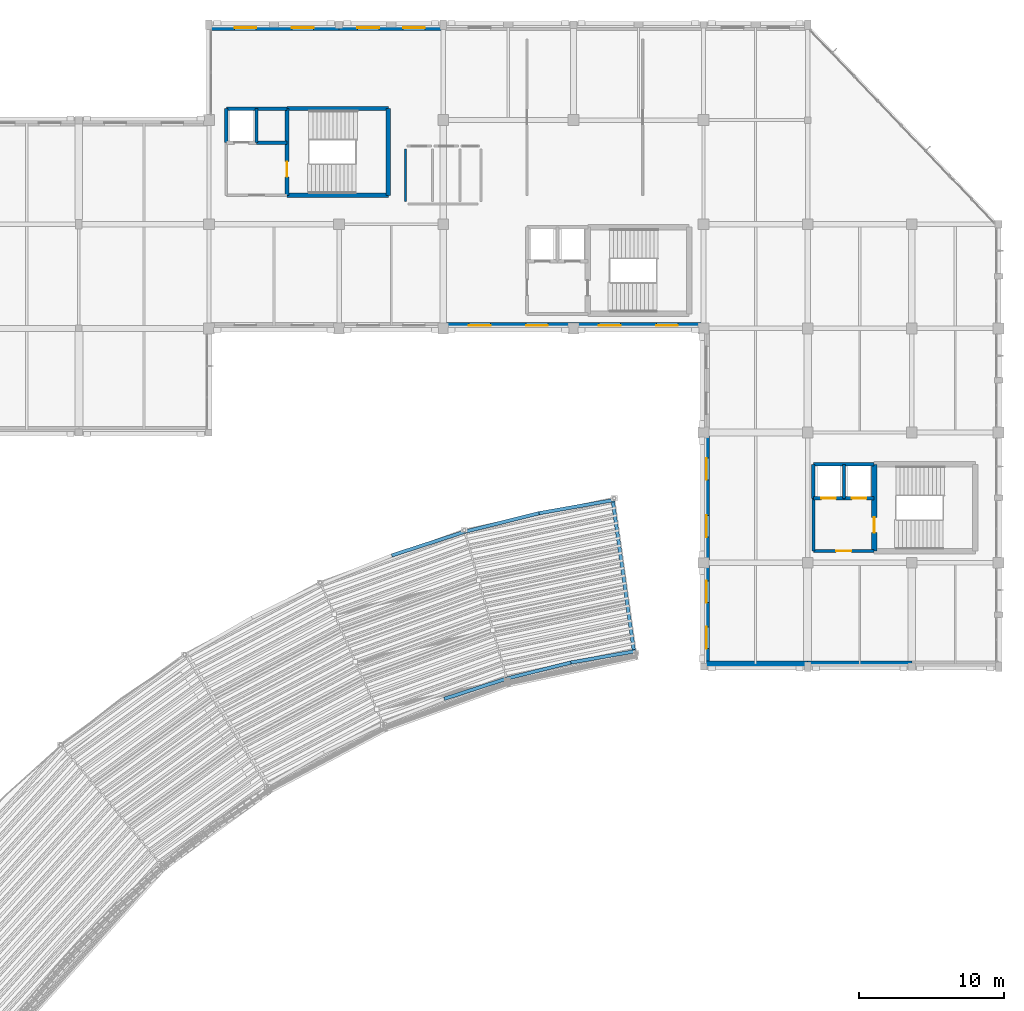
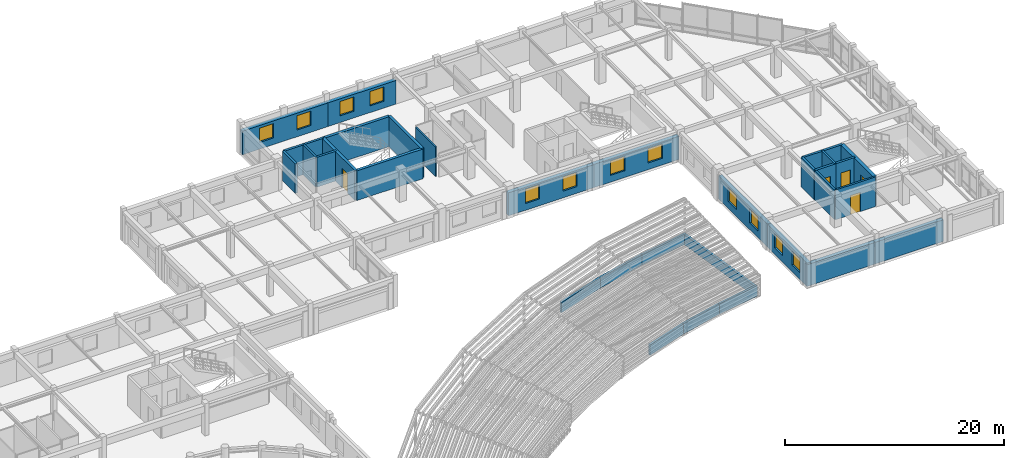
# One storey, part 54 of 74: 32 walls, 12 windows, 5 doors, 17 openings.
"""IFC4 building model written with IfcOpenShell, lengths in metres."""

from ifc_helpers import new_model, si_unit, direction, frame, frame_2d, origin, place, context, subcontext, project, spatial, rectangle, extrude, material, layer, layer_set, type_object, element, fill, save


model = new_model("IFC4")

# Units and contexts
model_context = context("Model", 3, precision=1e-05, world=origin(), true_north=direction((0.0, 1.0)))
body_context = subcontext(model_context, "Body", "Model", "MODEL_VIEW")
ifc_project = project(units=[si_unit("LENGTHUNIT", "METRE"), si_unit("AREAUNIT", "SQUARE_METRE"), si_unit("VOLUMEUNIT", "CUBIC_METRE"), si_unit("PLANEANGLEUNIT", "RADIAN"), si_unit("MASSUNIT", "GRAM", prefix="KILO")], contexts=[model_context])

# Site, building, storey
site_placement = place(None, origin())
site = spatial("IfcSite", under=ifc_project, at=site_placement, CompositionType="ELEMENT")
building_placement = place(site_placement, origin())
building = spatial("IfcBuilding", under=site, at=building_placement, Name="Clarverna Civic Hall", CompositionType="ELEMENT")
storey_placement = place(building_placement, frame((0.0, 0.0, 13.199951171875)))
storey = spatial("IfcBuildingStorey", under=building, at=storey_placement, Name="L03", CompositionType="ELEMENT", Elevation=13.199951171875)

# Wall, openings, windows
ifc_material_1 = material(Name="Montjuic Limestone Ashlar Cladding", Category="masonry")
ifc_layer_1 = layer(ifc_material_1, 0.39990234375)
ifc_layer_set_1 = layer_set([ifc_layer_1], Name="Montjuic Limestone Ashlar Cladding")
wall_type_1 = type_object("IfcWallType", Name="EW-02", PredefinedType="SOLIDWALL", material=ifc_layer_set_1)
wall_1_placement = place(storey_placement, frame((113.39990234375, 115.800048828125, 0.0), z_axis=(0.0, 0.0, 1.0), x_axis=(1.0, 0.0, 0.0)))
wall_1 = element("IfcWall", 1, at=wall_1_placement, inside=storey, type_object=wall_type_1, Name="EW-02-143", PredefinedType="SOLIDWALL", context=body_context, shape_type="SweptSolid", body=[
    extrude(rectangle(XDim=9.0, YDim=0.39990234375, at=frame_2d((4.5, 0.0))), origin(), (0.0, 0.0, 1.0), 2.64013671875),
])
opening_1_placement = place(wall_1_placement, frame((1.77001953125, 0.0, 0.75)))
opening_1 = element("IfcOpeningElement", 2, at=opening_1_placement, cuts=wall_1, Name="Opening WN-14", PredefinedType="OPENING", context=body_context, shape_type="SweptSolid", body=[
    extrude(rectangle(XDim=1.5, YDim=1.60009765625, at=frame_2d((0.75, 0.800048828125))), frame((0.0, 0.2099609375, 0.0), z_axis=(0.0, -1.0, 0.0), x_axis=(1.0, 0.0, 0.0)), (0.0, 0.0, 1.0), 0.419921875),
])
opening_2_placement = place(wall_1_placement, frame((5.72998046875, 0.0, 0.75)))
opening_2 = element("IfcOpeningElement", 3, at=opening_2_placement, cuts=wall_1, Name="Opening WN-14", PredefinedType="OPENING", context=body_context, shape_type="SweptSolid", body=[
    extrude(rectangle(XDim=1.5, YDim=1.60009765625, at=frame_2d((0.75, 0.800048828125))), frame((0.0, 0.2099609375, 0.0), z_axis=(0.0, -1.0, 0.0), x_axis=(1.0, 0.0, 0.0)), (0.0, 0.0, 1.0), 0.419921875),
])
ifc_material_2 = material(Name="Solar-Control Argon Low-E Double Glazing", Category="glass")
window_type = type_object("IfcWindowType", Name="WN-14", PartitioningType="DOUBLE_PANEL_HORIZONTAL", PredefinedType="WINDOW", material=ifc_material_2)
window_1_placement = place(opening_1_placement, origin())
window_1 = element("IfcWindow", 4, at=window_1_placement, inside=storey, type_object=window_type, Name="WN-14-117", OverallHeight=1.60009765625, OverallWidth=1.5, PartitioningType="DOUBLE_PANEL_HORIZONTAL", PredefinedType="WINDOW", context=body_context, shape_type="SweptSolid", body=[
    extrude(rectangle(XDim=1.5, YDim=1.60009765625, at=frame_2d((0.75, 0.800048828125))), frame((0.0, 0.030029296875, 0.0), z_axis=(0.0, -1.0, 0.0), x_axis=(1.0, 0.0, 0.0)), (0.0, 0.0, 1.0), 0.06005859375),
])
fill(opening_1, window_1)
window_2_placement = place(opening_2_placement, origin())
window_2 = element("IfcWindow", 5, at=window_2_placement, inside=storey, type_object=window_type, Name="WN-14-118", OverallHeight=1.60009765625, OverallWidth=1.5, PartitioningType="DOUBLE_PANEL_HORIZONTAL", PredefinedType="WINDOW", context=body_context, shape_type="SweptSolid", body=[
    extrude(rectangle(XDim=1.5, YDim=1.60009765625, at=frame_2d((0.75, 0.800048828125))), frame((0.0, 0.030029296875, 0.0), z_axis=(0.0, -1.0, 0.0), x_axis=(1.0, 0.0, 0.0)), (0.0, 0.0, 1.0), 0.06005859375),
])
fill(opening_2, window_2)

wall_2_placement = place(storey_placement, frame((122.39990234375, 115.800048828125, 0.0), z_axis=(0.0, 0.0, 1.0), x_axis=(1.0, 0.0, 0.0)))
wall_2 = element("IfcWall", 6, at=wall_2_placement, inside=storey, type_object=wall_type_1, Name="EW-02-144", PredefinedType="SOLIDWALL", context=body_context, shape_type="SweptSolid", body=[
    extrude(rectangle(XDim=7.2001953125, YDim=0.39990234375, at=frame_2d((3.60009765625, 0.0))), origin(), (0.0, 0.0, 1.0), 2.64013671875),
])
opening_3_placement = place(wall_2_placement, frame((1.26611328125, 0.0, 0.75)))
opening_3 = element("IfcOpeningElement", 7, at=opening_3_placement, cuts=wall_2, Name="Opening WN-14", PredefinedType="OPENING", context=body_context, shape_type="SweptSolid", body=[
    extrude(rectangle(XDim=1.5, YDim=1.60009765625, at=frame_2d((0.75, 0.800048828125))), frame((0.0, 0.2099609375, 0.0), z_axis=(0.0, -1.0, 0.0), x_axis=(1.0, 0.0, 0.0)), (0.0, 0.0, 1.0), 0.419921875),
])
opening_4_placement = place(wall_2_placement, frame((4.43408203125, 0.0, 0.75)))
opening_4 = element("IfcOpeningElement", 8, at=opening_4_placement, cuts=wall_2, Name="Opening WN-14", PredefinedType="OPENING", context=body_context, shape_type="SweptSolid", body=[
    extrude(rectangle(XDim=1.5, YDim=1.60009765625, at=frame_2d((0.75, 0.800048828125))), frame((0.0, 0.2099609375, 0.0), z_axis=(0.0, -1.0, 0.0), x_axis=(1.0, 0.0, 0.0)), (0.0, 0.0, 1.0), 0.419921875),
])
window_3_placement = place(opening_3_placement, origin())
window_3 = element("IfcWindow", 9, at=window_3_placement, inside=storey, type_object=window_type, Name="WN-14-119", OverallHeight=1.60009765625, OverallWidth=1.5, PartitioningType="DOUBLE_PANEL_HORIZONTAL", PredefinedType="WINDOW", context=body_context, shape_type="SweptSolid", body=[
    extrude(rectangle(XDim=1.5, YDim=1.60009765625, at=frame_2d((0.75, 0.800048828125))), frame((0.0, 0.030029296875, 0.0), z_axis=(0.0, -1.0, 0.0), x_axis=(1.0, 0.0, 0.0)), (0.0, 0.0, 1.0), 0.06005859375),
])
fill(opening_3, window_3)
window_4_placement = place(opening_4_placement, origin())
window_4 = element("IfcWindow", 10, at=window_4_placement, inside=storey, type_object=window_type, Name="WN-14-120", OverallHeight=1.60009765625, OverallWidth=1.5, PartitioningType="DOUBLE_PANEL_HORIZONTAL", PredefinedType="WINDOW", context=body_context, shape_type="SweptSolid", body=[
    extrude(rectangle(XDim=1.5, YDim=1.60009765625, at=frame_2d((0.75, 0.800048828125))), frame((0.0, 0.030029296875, 0.0), z_axis=(0.0, -1.0, 0.0), x_axis=(1.0, 0.0, 0.0)), (0.0, 0.0, 1.0), 0.06005859375),
])
fill(opening_4, window_4)

# Walls
for number, where, z_axis, x_axis, name in (
    (11, (162.0, 71.800048828125, 0.0), (0.0, 0.0, 1.0), (-1.0, 0.0, 0.0), "EW-02-149"),
    (12, (154.800048828125, 71.800048828125, 0.0), (0.0, 0.0, 1.0), (-1.0, 0.0, 0.0), "EW-02-150"),
):
    element("IfcWall", number, at=place(storey_placement, frame(where, z_axis=z_axis, x_axis=x_axis)), inside=storey, type_object=wall_type_1, Name=name, PredefinedType="SOLIDWALL", context=body_context, shape_type="SweptSolid", body=[
        extrude(rectangle(XDim=7.199951171875, YDim=0.39990234375, at=frame_2d((3.60009765625, 0.0))), origin(), (0.0, 0.0, 1.0), 2.420166015625),
    ])

# Wall, openings, windows
wall_3_placement = place(storey_placement, frame((147.800048828125, 71.60009765625, 0.0), z_axis=(0.0, 0.0, 1.0), x_axis=(0.0, 1.0, 0.0)))
wall_3 = element("IfcWall", 13, at=wall_3_placement, inside=storey, type_object=wall_type_1, Name="EW-02-151", PredefinedType="SOLIDWALL", context=body_context, shape_type="SweptSolid", body=[
    extrude(rectangle(XDim=7.199951171875, YDim=0.39990234375, at=frame_2d((3.60009765625, 0.0))), origin(), (0.0, 0.0, 1.0), 2.60009765625),
])
opening_5_placement = place(wall_3_placement, frame((1.26611328125, 0.0, 0.75)))
opening_5 = element("IfcOpeningElement", 14, at=opening_5_placement, cuts=wall_3, Name="Opening WN-14", PredefinedType="OPENING", context=body_context, shape_type="SweptSolid", body=[
    extrude(rectangle(XDim=1.5, YDim=1.60009765625, at=frame_2d((0.75, 0.800048828125))), frame((0.0, 0.2099609375, 0.0), z_axis=(0.0, -1.0, 0.0), x_axis=(1.0, 0.0, 0.0)), (0.0, 0.0, 1.0), 0.419921875),
])
opening_6_placement = place(wall_3_placement, frame((4.43408203125, 0.0, 0.75)))
opening_6 = element("IfcOpeningElement", 15, at=opening_6_placement, cuts=wall_3, Name="Opening WN-14", PredefinedType="OPENING", context=body_context, shape_type="SweptSolid", body=[
    extrude(rectangle(XDim=1.5, YDim=1.60009765625, at=frame_2d((0.75, 0.800048828125))), frame((0.0, 0.2099609375, 0.0), z_axis=(0.0, -1.0, 0.0), x_axis=(1.0, 0.0, 0.0)), (0.0, 0.0, 1.0), 0.419921875),
])
window_5_placement = place(opening_5_placement, origin())
window_5 = element("IfcWindow", 16, at=window_5_placement, inside=storey, type_object=window_type, Name="WN-14-124", OverallHeight=1.60009765625, OverallWidth=1.5, PartitioningType="DOUBLE_PANEL_HORIZONTAL", PredefinedType="WINDOW", context=body_context, shape_type="SweptSolid", body=[
    extrude(rectangle(XDim=1.5, YDim=1.60009765625, at=frame_2d((0.75, 0.800048828125))), frame((0.0, 0.030029296875, 0.0), z_axis=(0.0, -1.0, 0.0), x_axis=(1.0, 0.0, 0.0)), (0.0, 0.0, 1.0), 0.06005859375),
])
fill(opening_5, window_5)
window_6_placement = place(opening_6_placement, origin())
window_6 = element("IfcWindow", 17, at=window_6_placement, inside=storey, type_object=window_type, Name="WN-14-125", OverallHeight=1.60009765625, OverallWidth=1.5, PartitioningType="DOUBLE_PANEL_HORIZONTAL", PredefinedType="WINDOW", context=body_context, shape_type="SweptSolid", body=[
    extrude(rectangle(XDim=1.5, YDim=1.60009765625, at=frame_2d((0.75, 0.800048828125))), frame((0.0, 0.030029296875, 0.0), z_axis=(0.0, -1.0, 0.0), x_axis=(1.0, 0.0, 0.0)), (0.0, 0.0, 1.0), 0.06005859375),
])
fill(opening_6, window_6)

wall_4_placement = place(storey_placement, frame((147.800048828125, 78.800048828125, 0.0), z_axis=(0.0, 0.0, 1.0), x_axis=(0.0, 1.0, 0.0)))
wall_4 = element("IfcWall", 18, at=wall_4_placement, inside=storey, type_object=wall_type_1, Name="EW-02-152", PredefinedType="SOLIDWALL", context=body_context, shape_type="SweptSolid", body=[
    extrude(rectangle(XDim=9.0, YDim=0.39990234375, at=frame_2d((4.5, 0.0))), origin(), (0.0, 0.0, 1.0), 2.570068359375),
])
opening_7_placement = place(wall_4_placement, frame((1.77001953125, 0.0, 0.75)))
opening_7 = element("IfcOpeningElement", 19, at=opening_7_placement, cuts=wall_4, Name="Opening WN-14", PredefinedType="OPENING", context=body_context, shape_type="SweptSolid", body=[
    extrude(rectangle(XDim=1.5, YDim=1.60009765625, at=frame_2d((0.75, 0.800048828125))), frame((0.0, 0.2099609375, 0.0), z_axis=(0.0, -1.0, 0.0), x_axis=(1.0, 0.0, 0.0)), (0.0, 0.0, 1.0), 0.419921875),
])
opening_8_placement = place(wall_4_placement, frame((5.72998046875, 0.0, 0.75)))
opening_8 = element("IfcOpeningElement", 20, at=opening_8_placement, cuts=wall_4, Name="Opening WN-14", PredefinedType="OPENING", context=body_context, shape_type="SweptSolid", body=[
    extrude(rectangle(XDim=1.5, YDim=1.60009765625, at=frame_2d((0.75, 0.800048828125))), frame((0.0, 0.2099609375, 0.0), z_axis=(0.0, -1.0, 0.0), x_axis=(1.0, 0.0, 0.0)), (0.0, 0.0, 1.0), 0.419921875),
])
window_7_placement = place(opening_7_placement, origin())
window_7 = element("IfcWindow", 21, at=window_7_placement, inside=storey, type_object=window_type, Name="WN-14-126", OverallHeight=1.60009765625, OverallWidth=1.5, PartitioningType="DOUBLE_PANEL_HORIZONTAL", PredefinedType="WINDOW", context=body_context, shape_type="SweptSolid", body=[
    extrude(rectangle(XDim=1.5, YDim=1.60009765625, at=frame_2d((0.75, 0.800048828125))), frame((0.0, 0.030029296875, 0.0), z_axis=(0.0, -1.0, 0.0), x_axis=(1.0, 0.0, 0.0)), (0.0, 0.0, 1.0), 0.06005859375),
])
fill(opening_7, window_7)
window_8_placement = place(opening_8_placement, origin())
window_8 = element("IfcWindow", 22, at=window_8_placement, inside=storey, type_object=window_type, Name="WN-14-127", OverallHeight=1.60009765625, OverallWidth=1.5, PartitioningType="DOUBLE_PANEL_HORIZONTAL", PredefinedType="WINDOW", context=body_context, shape_type="SweptSolid", body=[
    extrude(rectangle(XDim=1.5, YDim=1.60009765625, at=frame_2d((0.75, 0.800048828125))), frame((0.0, 0.030029296875, 0.0), z_axis=(0.0, -1.0, 0.0), x_axis=(1.0, 0.0, 0.0)), (0.0, 0.0, 1.0), 0.06005859375),
])
fill(opening_8, window_8)

wall_5_placement = place(storey_placement, frame((147.60009765625, 95.199951171875, 0.0), z_axis=(0.0, 0.0, 1.0), x_axis=(-1.0, 0.0, 0.0)))
wall_5 = element("IfcWall", 23, at=wall_5_placement, inside=storey, type_object=wall_type_1, Name="EW-02-154", PredefinedType="SOLIDWALL", context=body_context, shape_type="SweptSolid", body=[
    extrude(rectangle(XDim=9.0, YDim=0.39990234375, at=frame_2d((4.5, 0.0))), origin(), (0.0, 0.0, 1.0), 2.60009765625),
])
opening_9_placement = place(wall_5_placement, frame((1.77001953125, 0.0, 0.75)))
opening_9 = element("IfcOpeningElement", 24, at=opening_9_placement, cuts=wall_5, Name="Opening WN-14", PredefinedType="OPENING", context=body_context, shape_type="SweptSolid", body=[
    extrude(rectangle(XDim=1.5, YDim=1.60009765625, at=frame_2d((0.75, 0.800048828125))), frame((0.0, 0.2099609375, 0.0), z_axis=(0.0, -1.0, 0.0), x_axis=(1.0, 0.0, 0.0)), (0.0, 0.0, 1.0), 0.419921875),
])
opening_10_placement = place(wall_5_placement, frame((5.72998046875, 0.0, 0.75)))
opening_10 = element("IfcOpeningElement", 25, at=opening_10_placement, cuts=wall_5, Name="Opening WN-14", PredefinedType="OPENING", context=body_context, shape_type="SweptSolid", body=[
    extrude(rectangle(XDim=1.5, YDim=1.60009765625, at=frame_2d((0.75, 0.800048828125))), frame((0.0, 0.2099609375, 0.0), z_axis=(0.0, -1.0, 0.0), x_axis=(1.0, 0.0, 0.0)), (0.0, 0.0, 1.0), 0.419921875),
])
window_9_placement = place(opening_9_placement, origin())
window_9 = element("IfcWindow", 26, at=window_9_placement, inside=storey, type_object=window_type, Name="WN-14-130", OverallHeight=1.60009765625, OverallWidth=1.5, PartitioningType="DOUBLE_PANEL_HORIZONTAL", PredefinedType="WINDOW", context=body_context, shape_type="SweptSolid", body=[
    extrude(rectangle(XDim=1.5, YDim=1.60009765625, at=frame_2d((0.75, 0.800048828125))), frame((0.0, 0.030029296875, 0.0), z_axis=(0.0, -1.0, 0.0), x_axis=(1.0, 0.0, 0.0)), (0.0, 0.0, 1.0), 0.06005859375),
])
fill(opening_9, window_9)
window_10_placement = place(opening_10_placement, origin())
window_10 = element("IfcWindow", 27, at=window_10_placement, inside=storey, type_object=window_type, Name="WN-14-131", OverallHeight=1.60009765625, OverallWidth=1.5, PartitioningType="DOUBLE_PANEL_HORIZONTAL", PredefinedType="WINDOW", context=body_context, shape_type="SweptSolid", body=[
    extrude(rectangle(XDim=1.5, YDim=1.60009765625, at=frame_2d((0.75, 0.800048828125))), frame((0.0, 0.030029296875, 0.0), z_axis=(0.0, -1.0, 0.0), x_axis=(1.0, 0.0, 0.0)), (0.0, 0.0, 1.0), 0.06005859375),
])
fill(opening_10, window_10)

wall_6_placement = place(storey_placement, frame((138.60009765625, 95.199951171875, 0.0), z_axis=(0.0, 0.0, 1.0), x_axis=(-1.0, 0.0, 0.0)))
wall_6 = element("IfcWall", 28, at=wall_6_placement, inside=storey, type_object=wall_type_1, Name="EW-02-155", PredefinedType="SOLIDWALL", context=body_context, shape_type="SweptSolid", body=[
    extrude(rectangle(XDim=9.0, YDim=0.39990234375, at=frame_2d((4.5, 0.0))), origin(), (0.0, 0.0, 1.0), 2.570068359375),
])
opening_11_placement = place(wall_6_placement, frame((1.77001953125, 0.0, 0.75)))
opening_11 = element("IfcOpeningElement", 29, at=opening_11_placement, cuts=wall_6, Name="Opening WN-14", PredefinedType="OPENING", context=body_context, shape_type="SweptSolid", body=[
    extrude(rectangle(XDim=1.5, YDim=1.60009765625, at=frame_2d((0.75, 0.800048828125))), frame((0.0, 0.2099609375, 0.0), z_axis=(0.0, -1.0, 0.0), x_axis=(1.0, 0.0, 0.0)), (0.0, 0.0, 1.0), 0.419921875),
])
opening_12_placement = place(wall_6_placement, frame((5.72998046875, 0.0, 0.75)))
opening_12 = element("IfcOpeningElement", 30, at=opening_12_placement, cuts=wall_6, Name="Opening WN-14", PredefinedType="OPENING", context=body_context, shape_type="SweptSolid", body=[
    extrude(rectangle(XDim=1.5, YDim=1.60009765625, at=frame_2d((0.75, 0.800048828125))), frame((0.0, 0.2099609375, 0.0), z_axis=(0.0, -1.0, 0.0), x_axis=(1.0, 0.0, 0.0)), (0.0, 0.0, 1.0), 0.419921875),
])
window_11_placement = place(opening_11_placement, origin())
window_11 = element("IfcWindow", 31, at=window_11_placement, inside=storey, type_object=window_type, Name="WN-14-132", OverallHeight=1.60009765625, OverallWidth=1.5, PartitioningType="DOUBLE_PANEL_HORIZONTAL", PredefinedType="WINDOW", context=body_context, shape_type="SweptSolid", body=[
    extrude(rectangle(XDim=1.5, YDim=1.60009765625, at=frame_2d((0.75, 0.800048828125))), frame((0.0, 0.030029296875, 0.0), z_axis=(0.0, -1.0, 0.0), x_axis=(1.0, 0.0, 0.0)), (0.0, 0.0, 1.0), 0.06005859375),
])
fill(opening_11, window_11)
window_12_placement = place(opening_12_placement, origin())
window_12 = element("IfcWindow", 32, at=window_12_placement, inside=storey, type_object=window_type, Name="WN-14-133", OverallHeight=1.60009765625, OverallWidth=1.5, PartitioningType="DOUBLE_PANEL_HORIZONTAL", PredefinedType="WINDOW", context=body_context, shape_type="SweptSolid", body=[
    extrude(rectangle(XDim=1.5, YDim=1.60009765625, at=frame_2d((0.75, 0.800048828125))), frame((0.0, 0.030029296875, 0.0), z_axis=(0.0, -1.0, 0.0), x_axis=(1.0, 0.0, 0.0)), (0.0, 0.0, 1.0), 0.06005859375),
])
fill(opening_12, window_12)

# Walls
ifc_material_3 = material(Name="Precast concrete C40/50", Category="concrete")
ifc_layer_2 = layer(ifc_material_3, 0.239990234375)
ifc_layer_set_2 = layer_set([ifc_layer_2], Name="Precast concrete C40/50")
wall_type_2 = type_object("IfcWallType", Name="PR-01", PredefinedType="PARAPET", material=ifc_layer_set_2)
wall_7_placement = place(storey_placement, frame((126.043701171875, 79.302490234375, 0.0), z_axis=(0.0, 0.0, 1.0), x_axis=(0.951044891259, 0.309052770267, 0.0)))
element("IfcWall", 33, at=wall_7_placement, inside=storey, type_object=wall_type_2, Name="PR-01-032", PredefinedType="PARAPET", context=body_context, shape_type="SweptSolid", body=[
    extrude(rectangle(XDim=5.3046875, YDim=0.239990234375, at=frame_2d((2.65234375, 0.0))), origin(), (0.0, 0.0, 1.0), 1.150146484375),
])
wall_8_placement = place(storey_placement, frame((131.08056640625, 80.939453125, 0.0), z_axis=(0.0, 0.0, 1.0), x_axis=(0.970291213473, 0.241939994746, 0.0)))
element("IfcWall", 34, at=wall_8_placement, inside=storey, type_object=wall_type_2, Name="PR-01-033", PredefinedType="PARAPET", context=body_context, shape_type="SweptSolid", body=[
    extrude(rectangle(XDim=5.304931640625, YDim=0.239990234375, at=frame_2d((2.65234375, 0.0))), origin(), (0.0, 0.0, 1.0), 1.150146484375),
])
wall_9_placement = place(storey_placement, frame((136.219482421875, 82.220947265625, 0.0), z_axis=(0.0, 0.0, 1.0), x_axis=(0.984808105081, 0.173646180973, 0.0)))
element("IfcWall", 35, at=wall_9_placement, inside=storey, type_object=wall_type_2, Name="PR-01-034", PredefinedType="PARAPET", context=body_context, shape_type="SweptSolid", body=[
    extrude(rectangle(XDim=5.3046875, YDim=0.239990234375, at=frame_2d((2.65234375, 0.0))), origin(), (0.0, 0.0, 1.0), 1.150146484375),
])
wall_10_placement = place(storey_placement, frame((141.303955078125, 83.24365234375, 0.0), z_axis=(0.0, 0.0, 1.0), x_axis=(0.139183479842, -0.990266610029, 0.0)))
element("IfcWall", 36, at=wall_10_placement, inside=storey, type_object=wall_type_2, Name="PR-01-035", PredefinedType="PARAPET", context=body_context, shape_type="SweptSolid", body=[
    extrude(rectangle(XDim=10.800048828125, YDim=0.239990234375, at=frame_2d((5.39990234375, 0.0))), origin(), (0.0, 0.0, 1.0), 1.150146484375),
])
wall_11_placement = place(storey_placement, frame((142.905029296875, 72.68359375, 0.0), z_axis=(0.0, 0.0, 1.0), x_axis=(-0.984806233579, -0.173656794579, 0.0)))
element("IfcWall", 37, at=wall_11_placement, inside=storey, type_object=wall_type_2, Name="PR-01-036", PredefinedType="PARAPET", context=body_context, shape_type="SweptSolid", body=[
    extrude(rectangle(XDim=4.55078125, YDim=0.239990234375, at=frame_2d((2.275390625, 0.0))), origin(), (0.0, 0.0, 1.0), 1.150146484375),
])
wall_12_placement = place(storey_placement, frame((138.415283203125, 71.8916015625, 0.0), z_axis=(0.0, 0.0, 1.0), x_axis=(-0.970303225887, -0.241891814316, 0.0)))
element("IfcWall", 38, at=wall_12_placement, inside=storey, type_object=wall_type_2, Name="PR-01-037", PredefinedType="PARAPET", context=body_context, shape_type="SweptSolid", body=[
    extrude(rectangle(XDim=4.551025390625, YDim=0.239990234375, at=frame_2d((2.275390625, 0.0))), origin(), (0.0, 0.0, 1.0), 1.150146484375),
])
wall_13_placement = place(storey_placement, frame((133.9912109375, 70.788330078125, 0.0), z_axis=(0.0, 0.0, 1.0), x_axis=(-0.951059297078, -0.309008435874, 0.0)))
element("IfcWall", 39, at=wall_13_placement, inside=storey, type_object=wall_type_2, Name="PR-01-038", PredefinedType="PARAPET", context=body_context, shape_type="SweptSolid", body=[
    extrude(rectangle(XDim=4.55078125, YDim=0.239990234375, at=frame_2d((2.275390625, 0.0))), origin(), (0.0, 0.0, 1.0), 1.150146484375),
])
ifc_material_4 = material(Name="Ceramic Brick and Plaster Wet-Room Partition", Category="masonry")
ifc_layer_3 = layer(ifc_material_4, 0.139892578125)
ifc_layer_set_3 = layer_set([ifc_layer_3], Name="Ceramic Brick and Plaster Wet-Room Partition")
wall_type_3 = type_object("IfcWallType", Name="PW-02", PredefinedType="PARTITIONING", material=ifc_layer_set_3)
wall_14_placement = place(storey_placement, frame((127.0, 103.780029296875, 0.0), z_axis=(0.0, 0.0, 1.0), x_axis=(0.0, 1.0, 0.0)))
element("IfcWall", 40, at=wall_14_placement, inside=storey, type_object=wall_type_3, Name="PW-02-034", PredefinedType="PARTITIONING", context=body_context, shape_type="SweptSolid", body=[
    extrude(rectangle(XDim=3.639892578125, YDim=0.139892578125, at=frame_2d((1.81982421875, 0.0))), origin(), (0.0, 0.0, 1.0), 3.320068359375),
])
ifc_material_5 = material(Name="Acoustic Gypsum Plasterboard on Twin Frame", Category="gypsum")
ifc_layer_4 = layer(ifc_material_5, 0.18994140625)
ifc_layer_set_4 = layer_set([ifc_layer_4], Name="Acoustic Gypsum Plasterboard on Twin Frame")
wall_type_4 = type_object("IfcWallType", Name="PW-06", PredefinedType="PARTITIONING", material=ifc_layer_set_4)
wall_15_placement = place(storey_placement, frame((155.199951171875, 79.60009765625, 0.0), z_axis=(0.0, 0.0, 1.0), x_axis=(0.0, 1.0, 0.0)))
element("IfcWall", 41, at=wall_15_placement, inside=storey, type_object=wall_type_4, Name="PW-06-027", PredefinedType="PARTITIONING", context=body_context, shape_type="SweptSolid", body=[
    extrude(rectangle(XDim=3.64990234375, YDim=0.18994140625, at=frame_2d((1.824951171875, 0.0))), origin(), (0.0, 0.0, 1.0), 3.320068359375),
])

# Wall, opening, door
wall_16_placement = place(storey_placement, frame((155.199951171875, 79.60009765625, 0.0), z_axis=(0.0, 0.0, 1.0), x_axis=(1.0, 0.0, 0.0)))
wall_16 = element("IfcWall", 42, at=wall_16_placement, inside=storey, type_object=wall_type_4, Name="PW-06-028", PredefinedType="PARTITIONING", context=body_context, shape_type="SweptSolid", body=[
    extrude(rectangle(XDim=4.199951171875, YDim=0.18994140625, at=frame_2d((2.10009765625, 0.0))), origin(), (0.0, 0.0, 1.0), 3.320068359375),
])
opening_13_placement = place(wall_16_placement, frame((1.574951171875, 0.0, 0.0)))
opening_13 = element("IfcOpeningElement", 43, at=opening_13_placement, cuts=wall_16, Name="Opening FD-02", PredefinedType="OPENING", context=body_context, shape_type="SweptSolid", body=[
    extrude(rectangle(XDim=1.050048828125, YDim=2.14990234375, at=frame_2d((0.52490234375, 1.074951171875))), frame((0.0, 0.10498046875, 0.0), z_axis=(0.0, -1.0, 0.0), x_axis=(1.0, 0.0, 0.0)), (0.0, 0.0, 1.0), 0.2099609375),
])
ifc_material_6 = material(Name="Acoustic Timber-Faced Fire Door", Category="wood")
door_type_1 = type_object("IfcDoorType", Name="FD-02", OperationType="NOTDEFINED", PredefinedType="DOOR", material=ifc_material_6)
door_1_placement = place(opening_13_placement, origin())
door_1 = element("IfcDoor", 44, at=door_1_placement, inside=storey, type_object=door_type_1, Name="FD-02-026", OperationType="SINGLE_SWING_RIGHT", OverallHeight=2.14990234375, OverallWidth=1.050048828125, PredefinedType="DOOR", context=body_context, shape_type="SweptSolid", body=[
    extrude(rectangle(XDim=1.050048828125, YDim=2.14990234375, at=frame_2d((0.52490234375, 1.074951171875))), frame((0.0, 0.02490234375, 0.0), z_axis=(0.0, -1.0, 0.0), x_axis=(1.0, 0.0, 0.0)), (0.0, 0.0, 1.0), 0.050048828125),
])
fill(opening_13, door_1)

ifc_material_7 = material(Name="Concrete C35/45", Category="concrete")
ifc_layer_5 = layer(ifc_material_7, 0.3798828125)
ifc_layer_set_5 = layer_set([ifc_layer_5], Name="Concrete C35/45")
wall_type_5 = type_object("IfcWallType", Name="SW-01", PredefinedType="SHEAR", material=ifc_layer_set_5)
wall_17_placement = place(storey_placement, frame((159.39990234375, 79.60009765625, 0.0), z_axis=(0.0, 0.0, 1.0), x_axis=(0.0, 1.0, 0.0)))
wall_17 = element("IfcWall", 45, at=wall_17_placement, inside=storey, type_object=wall_type_5, Name="SW-01-118", PredefinedType="SHEAR", context=body_context, shape_type="SweptSolid", body=[
    extrude(rectangle(XDim=6.0, YDim=0.3798828125, at=frame_2d((3.0, 0.0))), origin(), (0.0, 0.0, 1.0), 3.320068359375),
])
opening_14_placement = place(wall_17_placement, frame((1.27490234375, 0.0, 0.0)))
opening_14 = element("IfcOpeningElement", 46, at=opening_14_placement, cuts=wall_17, Name="Opening FD-02", PredefinedType="OPENING", context=body_context, shape_type="SweptSolid", body=[
    extrude(rectangle(XDim=1.050048828125, YDim=2.14990234375, at=frame_2d((0.52490234375, 1.074951171875))), frame((0.0, 0.199951171875, 0.0), z_axis=(0.0, -1.0, 0.0), x_axis=(1.0, 0.0, 0.0)), (0.0, 0.0, 1.0), 0.39990234375),
])
door_2_placement = place(opening_14_placement, origin())
door_2 = element("IfcDoor", 47, at=door_2_placement, inside=storey, type_object=door_type_1, Name="FD-02-025", OperationType="SINGLE_SWING_LEFT", OverallHeight=2.14990234375, OverallWidth=1.050048828125, PredefinedType="DOOR", context=body_context, shape_type="SweptSolid", body=[
    extrude(rectangle(XDim=1.050048828125, YDim=2.14990234375, at=frame_2d((0.52490234375, 1.074951171875))), frame((0.0, 0.02490234375, 0.0), z_axis=(0.0, -1.0, 0.0), x_axis=(1.0, 0.0, 0.0)), (0.0, 0.0, 1.0), 0.050048828125),
])
fill(opening_14, door_2)

# Walls
wall_18_placement = place(storey_placement, frame((155.199951171875, 85.60009765625, 0.0), z_axis=(0.0, 0.0, 1.0), x_axis=(1.0, 0.0, 0.0)))
element("IfcWall", 48, at=wall_18_placement, inside=storey, type_object=wall_type_5, Name="SW-01-122", PredefinedType="SHEAR", context=body_context, shape_type="SweptSolid", body=[
    extrude(rectangle(XDim=4.199951171875, YDim=0.239990234375, at=frame_2d((2.10009765625, 0.0))), origin(), (0.0, 0.0, 1.0), 3.320068359375),
])
wall_19_placement = place(storey_placement, frame((155.199951171875, 83.25, 0.0), z_axis=(0.0, 0.0, 1.0), x_axis=(0.0, 1.0, 0.0)))
element("IfcWall", 49, at=wall_19_placement, inside=storey, type_object=wall_type_5, Name="SW-01-123", PredefinedType="SHEAR", context=body_context, shape_type="SweptSolid", body=[
    extrude(rectangle(XDim=2.35009765625, YDim=0.239990234375, at=frame_2d((1.175048828125, 0.0))), origin(), (0.0, 0.0, 1.0), 3.320068359375),
])
wall_20_placement = place(storey_placement, frame((157.300048828125, 83.25, 0.0), z_axis=(0.0, 0.0, 1.0), x_axis=(0.0, 1.0, 0.0)))
element("IfcWall", 50, at=wall_20_placement, inside=storey, type_object=wall_type_5, Name="SW-01-124", PredefinedType="SHEAR", context=body_context, shape_type="SweptSolid", body=[
    extrude(rectangle(XDim=2.35009765625, YDim=0.199951171875, at=frame_2d((1.175048828125, 0.0))), origin(), (0.0, 0.0, 1.0), 3.320068359375),
])

# Wall, opening, door
wall_21_placement = place(storey_placement, frame((155.199951171875, 83.25, 0.0), z_axis=(0.0, 0.0, 1.0), x_axis=(1.0, 0.0, 0.0)))
wall_21 = element("IfcWall", 51, at=wall_21_placement, inside=storey, type_object=wall_type_5, Name="SW-01-125", PredefinedType="SHEAR", context=body_context, shape_type="SweptSolid", body=[
    extrude(rectangle(XDim=2.10009765625, YDim=0.239990234375, at=frame_2d((1.050048828125, 0.0))), origin(), (0.0, 0.0, 1.0), 3.320068359375),
])
opening_15_placement = place(wall_21_placement, frame((0.550048828125, 0.0, 0.0)))
opening_15 = element("IfcOpeningElement", 52, at=opening_15_placement, cuts=wall_21, Name="Opening LD-01", PredefinedType="OPENING", context=body_context, shape_type="SweptSolid", body=[
    extrude(rectangle(XDim=1.0, YDim=2.10009765625, at=frame_2d((0.5, 1.050048828125))), frame((0.0, 0.1298828125, 0.0), z_axis=(0.0, -1.0, 0.0), x_axis=(1.0, 0.0, 0.0)), (0.0, 0.0, 1.0), 0.260009765625),
])
ifc_material_8 = material(Name="Brushed Bronze Stainless Lift Landing Door")
door_type_2 = type_object("IfcDoorType", Name="LD-01", OperationType="SLIDING_TO_LEFT", PredefinedType="DOOR", material=ifc_material_8)
door_3_placement = place(opening_15_placement, origin())
door_3 = element("IfcDoor", 53, at=door_3_placement, inside=storey, type_object=door_type_2, Name="LD-01-027", OperationType="SLIDING_TO_LEFT", OverallHeight=2.10009765625, OverallWidth=1.0, PredefinedType="DOOR", context=body_context, shape_type="SweptSolid", body=[
    extrude(rectangle(XDim=1.0, YDim=2.10009765625, at=frame_2d((0.5, 1.050048828125))), frame((0.0, 0.02490234375, 0.0), z_axis=(0.0, -1.0, 0.0), x_axis=(1.0, 0.0, 0.0)), (0.0, 0.0, 1.0), 0.050048828125),
])
fill(opening_15, door_3)

wall_22_placement = place(storey_placement, frame((157.300048828125, 83.25, 0.0), z_axis=(0.0, 0.0, 1.0), x_axis=(1.0, 0.0, 0.0)))
wall_22 = element("IfcWall", 54, at=wall_22_placement, inside=storey, type_object=wall_type_5, Name="SW-01-126", PredefinedType="SHEAR", context=body_context, shape_type="SweptSolid", body=[
    extrude(rectangle(XDim=2.099853515625, YDim=0.239990234375, at=frame_2d((1.0498046875, 0.0))), origin(), (0.0, 0.0, 1.0), 3.320068359375),
])
opening_16_placement = place(wall_22_placement, frame((0.550048828125, 0.0, 0.0)))
opening_16 = element("IfcOpeningElement", 55, at=opening_16_placement, cuts=wall_22, Name="Opening LD-01", PredefinedType="OPENING", context=body_context, shape_type="SweptSolid", body=[
    extrude(rectangle(XDim=1.0, YDim=2.10009765625, at=frame_2d((0.5, 1.050048828125))), frame((0.0, 0.1298828125, 0.0), z_axis=(0.0, -1.0, 0.0), x_axis=(1.0, 0.0, 0.0)), (0.0, 0.0, 1.0), 0.260009765625),
])
door_4_placement = place(opening_16_placement, origin())
door_4 = element("IfcDoor", 56, at=door_4_placement, inside=storey, type_object=door_type_2, Name="LD-01-028", OperationType="SLIDING_TO_LEFT", OverallHeight=2.10009765625, OverallWidth=1.0, PredefinedType="DOOR", context=body_context, shape_type="SweptSolid", body=[
    extrude(rectangle(XDim=1.0, YDim=2.10009765625, at=frame_2d((0.5, 1.050048828125))), frame((0.0, 0.02490234375, 0.0), z_axis=(0.0, -1.0, 0.0), x_axis=(1.0, 0.0, 0.0)), (0.0, 0.0, 1.0), 0.050048828125),
])
fill(opening_16, door_4)

ifc_layer_6 = layer(ifc_material_7, 0.300048828125)
ifc_layer_set_6 = layer_set([ifc_layer_6], Name="Concrete C35/45")
wall_type_6 = type_object("IfcWallType", Name="SW-03", PredefinedType="SHEAR", material=ifc_layer_set_6)
wall_23_placement = place(storey_placement, frame((118.800048828125, 104.199951171875, 0.0), z_axis=(0.0, 0.0, 1.0), x_axis=(0.0, 1.0, 0.0)))
wall_23 = element("IfcWall", 57, at=wall_23_placement, inside=storey, type_object=wall_type_6, Name="SW-03-181", PredefinedType="SHEAR", context=body_context, shape_type="SweptSolid", body=[
    extrude(rectangle(XDim=6.0, YDim=0.300048828125, at=frame_2d((3.0, 0.0))), origin(), (0.0, 0.0, 1.0), 3.320068359375),
])
opening_17_placement = place(wall_23_placement, frame((1.27490234375, 0.0, 0.0)))
opening_17 = element("IfcOpeningElement", 58, at=opening_17_placement, cuts=wall_23, Name="Opening FD-02", PredefinedType="OPENING", context=body_context, shape_type="SweptSolid", body=[
    extrude(rectangle(XDim=1.050048828125, YDim=2.14990234375, at=frame_2d((0.52490234375, 1.074951171875))), frame((0.0, 0.159912109375, 0.0), z_axis=(0.0, -1.0, 0.0), x_axis=(1.0, 0.0, 0.0)), (0.0, 0.0, 1.0), 0.320068359375),
])
door_5_placement = place(opening_17_placement, origin())
door_5 = element("IfcDoor", 59, at=door_5_placement, inside=storey, type_object=door_type_1, Name="FD-02-089", OperationType="SINGLE_SWING_LEFT", OverallHeight=2.14990234375, OverallWidth=1.050048828125, PredefinedType="DOOR", context=body_context, shape_type="SweptSolid", body=[
    extrude(rectangle(XDim=1.050048828125, YDim=2.14990234375, at=frame_2d((0.52490234375, 1.074951171875))), frame((0.0, 0.02490234375, 0.0), z_axis=(0.0, -1.0, 0.0), x_axis=(1.0, 0.0, 0.0)), (0.0, 0.0, 1.0), 0.050048828125),
])
fill(opening_17, door_5)

# Walls
wall_24_placement = place(storey_placement, frame((125.800048828125, 104.199951171875, 0.0), z_axis=(0.0, 0.0, 1.0), x_axis=(0.0, 1.0, 0.0)))
element("IfcWall", 60, at=wall_24_placement, inside=storey, type_object=wall_type_6, Name="SW-03-182", PredefinedType="SHEAR", context=body_context, shape_type="SweptSolid", body=[
    extrude(rectangle(XDim=6.0, YDim=0.300048828125, at=frame_2d((3.0, 0.0))), origin(), (0.0, 0.0, 1.0), 3.320068359375),
])
for number, where, z_axis, x_axis, name in (
    (61, (118.800048828125, 104.199951171875, 0.0), (0.0, 0.0, 1.0), (1.0, 0.0, 0.0), "SW-03-183"),
    (62, (118.800048828125, 110.199951171875, 0.0), (0.0, 0.0, 1.0), (1.0, 0.0, 0.0), "SW-03-184"),
):
    element("IfcWall", number, at=place(storey_placement, frame(where, z_axis=z_axis, x_axis=x_axis)), inside=storey, type_object=wall_type_6, Name=name, PredefinedType="SHEAR", context=body_context, shape_type="SweptSolid", body=[
        extrude(rectangle(XDim=7.0, YDim=0.300048828125, at=frame_2d((3.5, 0.0))), origin(), (0.0, 0.0, 1.0), 3.320068359375),
    ])
wall_25_placement = place(storey_placement, frame((114.60009765625, 110.199951171875, 0.0), z_axis=(0.0, 0.0, 1.0), x_axis=(1.0, 0.0, 0.0)))
element("IfcWall", 63, at=wall_25_placement, inside=storey, type_object=wall_type_6, Name="SW-03-185", PredefinedType="SHEAR", context=body_context, shape_type="SweptSolid", body=[
    extrude(rectangle(XDim=4.199951171875, YDim=0.239990234375, at=frame_2d((2.10009765625, 0.0))), origin(), (0.0, 0.0, 1.0), 3.320068359375),
])
wall_26_placement = place(storey_placement, frame((114.60009765625, 107.85009765625, 0.0), z_axis=(0.0, 0.0, 1.0), x_axis=(0.0, 1.0, 0.0)))
element("IfcWall", 64, at=wall_26_placement, inside=storey, type_object=wall_type_6, Name="SW-03-186", PredefinedType="SHEAR", context=body_context, shape_type="SweptSolid", body=[
    extrude(rectangle(XDim=2.349853515625, YDim=0.239990234375, at=frame_2d((1.1748046875, 0.0))), origin(), (0.0, 0.0, 1.0), 3.320068359375),
])
wall_27_placement = place(storey_placement, frame((116.699951171875, 107.85009765625, 0.0), z_axis=(0.0, 0.0, 1.0), x_axis=(0.0, 1.0, 0.0)))
element("IfcWall", 65, at=wall_27_placement, inside=storey, type_object=wall_type_6, Name="SW-03-187", PredefinedType="SHEAR", context=body_context, shape_type="SweptSolid", body=[
    extrude(rectangle(XDim=2.349853515625, YDim=0.199951171875, at=frame_2d((1.1748046875, 0.0))), origin(), (0.0, 0.0, 1.0), 3.320068359375),
])
wall_28_placement = place(storey_placement, frame((116.699951171875, 107.85009765625, 0.0), z_axis=(0.0, 0.0, 1.0), x_axis=(1.0, 0.0, 0.0)))
element("IfcWall", 66, at=wall_28_placement, inside=storey, type_object=wall_type_6, Name="SW-03-189", PredefinedType="SHEAR", context=body_context, shape_type="SweptSolid", body=[
    extrude(rectangle(XDim=2.10009765625, YDim=0.239990234375, at=frame_2d((1.050048828125, 0.0))), origin(), (0.0, 0.0, 1.0), 3.320068359375),
])

save(model, "model.ifc")
